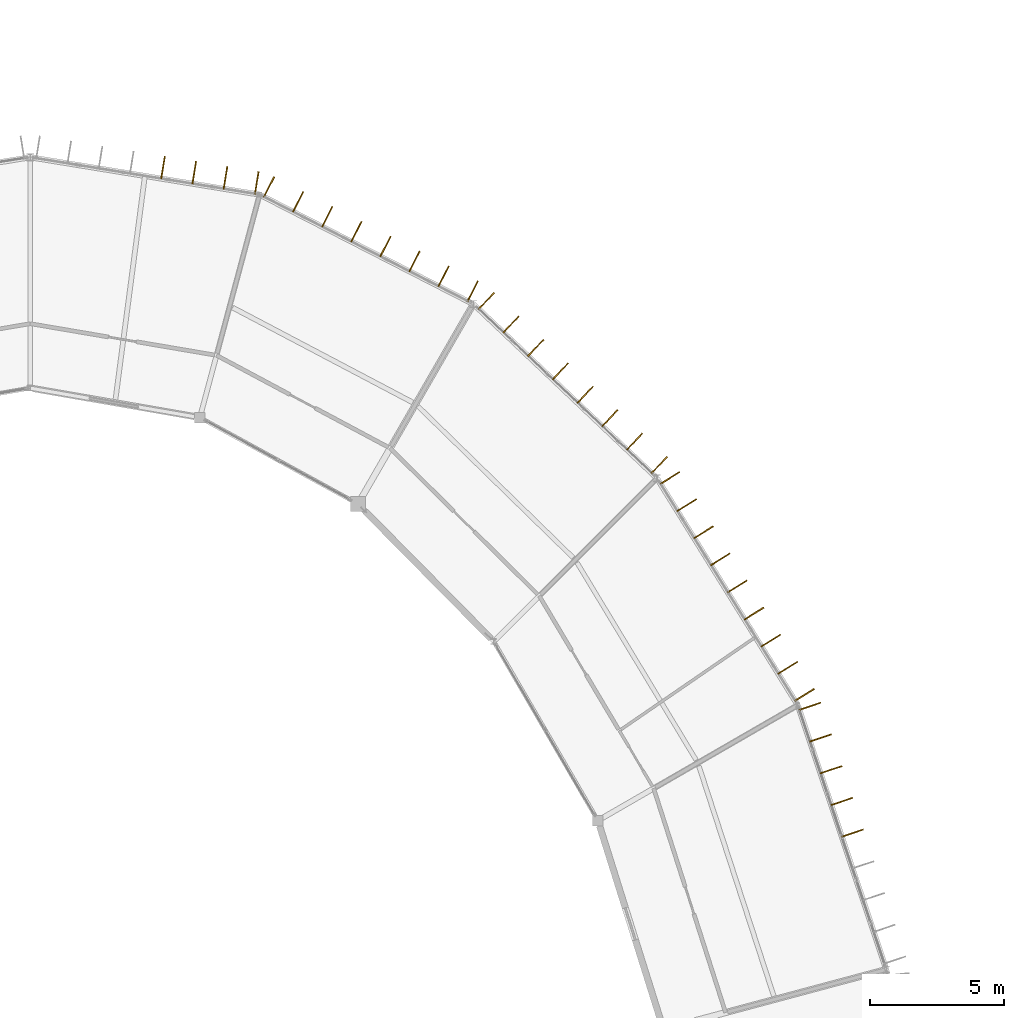
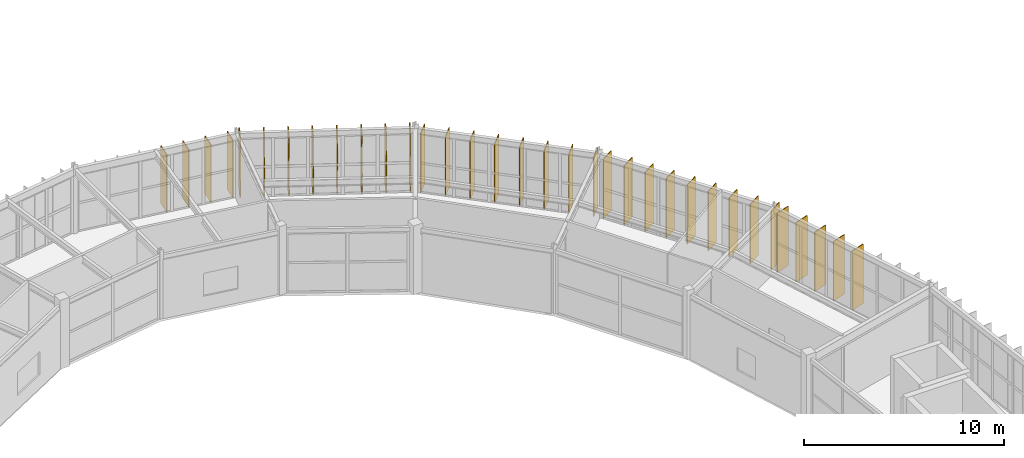
# One storey, part 105 of 106: 34 shading devices.
"""IFC4 building model written with IfcOpenShell, lengths in metres."""

from ifc_helpers import new_model, si_unit, direction, frame, origin, origin_2d, place, context, subcontext, project, spatial, rectangle, extrude, material, layer, layer_set, type_object, element, save


model = new_model("IFC4")

# Units and contexts
model_context = context("Model", 3, precision=1e-05, world=origin(), true_north=direction((0.0, 1.0)))
body_context = subcontext(model_context, "Body", "Model", "MODEL_VIEW")
ifc_project = project(units=[si_unit("LENGTHUNIT", "METRE"), si_unit("AREAUNIT", "SQUARE_METRE"), si_unit("VOLUMEUNIT", "CUBIC_METRE"), si_unit("PLANEANGLEUNIT", "RADIAN"), si_unit("MASSUNIT", "GRAM", prefix="KILO")], contexts=[model_context])

# Site, building, storey
site_placement = place(None, origin())
site = spatial("IfcSite", under=ifc_project, at=site_placement, CompositionType="ELEMENT")
building_placement = place(site_placement, origin())
building = spatial("IfcBuilding", under=site, at=building_placement, Name="Karori Crest Natural Sciences Institute", CompositionType="ELEMENT")
storey_placement = place(building_placement, frame((0.0, 0.0, 25.89990234375)))
storey = spatial("IfcBuildingStorey", under=building, at=storey_placement, Name="L06", CompositionType="ELEMENT", Elevation=25.89990234375)

# Shading devices
ifc_material = material(Name="Anodised architectural aluminium 6063-T6", Category="aluminium")
ifc_layer = layer(ifc_material, 0.044921875, Name="Anodised architectural aluminium 6063-T6")
ifc_layer_set = layer_set([ifc_layer], Name="Anodised architectural aluminium 6063-T6")
shading_device_type = type_object("IfcShadingDeviceType", Name="SDT-FIN", PredefinedType="USERDEFINED", material=ifc_layer_set)
for number, where, z_axis, x_axis, name in (
    (1, (95.42578125, 70.25634765625, 0.0), (0.0, 0.0, 1.0), (0.948197867933, 0.317680347595, 0.0), "Vertical solar fin FN-1097"),
    (2, (95.8212890625, 69.075439453125, 0.0), (0.0, 0.0, 1.0), (0.948197867933, 0.317680347595, 0.0), "Vertical solar fin FN-1098"),
    (3, (96.217041015625, 67.894775390625, 0.0), (0.0, 0.0, 1.0), (0.948197867933, 0.317680347595, 0.0), "Vertical solar fin FN-1099"),
    (4, (96.61279296875, 66.7138671875, 0.0), (0.0, 0.0, 1.0), (0.948197867933, 0.317680347595, 0.0), "Vertical solar fin FN-1100"),
    (5, (97.00830078125, 65.533203125, 0.0), (0.0, 0.0, 1.0), (0.948197867933, 0.317680347595, 0.0), "Vertical solar fin FN-1101"),
    (6, (90.215087890625, 78.7529296875, 0.0), (0.0, 0.0, 1.0), (0.849661763889, 0.527328063907, 0.0), "Vertical solar fin FN-1106"),
    (7, (90.84130859375, 77.743896484375, 0.0), (0.0, 0.0, 1.0), (0.849661763889, 0.527328063907, 0.0), "Vertical solar fin FN-1107"),
    (8, (91.4677734375, 76.73486328125, 0.0), (0.0, 0.0, 1.0), (0.849661763889, 0.527328063907, 0.0), "Vertical solar fin FN-1108"),
    (9, (92.093994140625, 75.725830078125, 0.0), (0.0, 0.0, 1.0), (0.849661763889, 0.527328063907, 0.0), "Vertical solar fin FN-1109"),
    (10, (92.72021484375, 74.716796875, 0.0), (0.0, 0.0, 1.0), (0.849661763889, 0.527328063907, 0.0), "Vertical solar fin FN-1110"),
    (11, (93.346435546875, 73.70751953125, 0.0), (0.0, 0.0, 1.0), (0.849661763889, 0.527328063907, 0.0), "Vertical solar fin FN-1111"),
    (12, (93.97265625, 72.698486328125, 0.0), (0.0, 0.0, 1.0), (0.849661763889, 0.527328063907, 0.0), "Vertical solar fin FN-1112"),
    (13, (94.59912109375, 71.689453125, 0.0), (0.0, 0.0, 1.0), (0.849661763889, 0.527328063907, 0.0), "Vertical solar fin FN-1113"),
    (14, (95.22509765625, 70.680419921875, 0.0), (0.0, 0.0, 1.0), (0.849661763889, 0.527328063907, 0.0), "Vertical solar fin FN-1114"),
    (15, (83.38037109375, 85.34326171875, 0.0), (0.0, 0.0, 1.0), (0.68825202143, 0.725471677599, 0.0), "Vertical solar fin FN-1115"),
    (16, (84.2998046875, 84.470947265625, 0.0), (0.0, 0.0, 1.0), (0.68825202143, 0.725471677599, 0.0), "Vertical solar fin FN-1116"),
    (17, (85.219482421875, 83.598388671875, 0.0), (0.0, 0.0, 1.0), (0.68825202143, 0.725471677599, 0.0), "Vertical solar fin FN-1117"),
    (18, (86.13916015625, 82.72607421875, 0.0), (0.0, 0.0, 1.0), (0.68825202143, 0.725471677599, 0.0), "Vertical solar fin FN-1118"),
    (19, (87.058837890625, 81.853515625, 0.0), (0.0, 0.0, 1.0), (0.68825202143, 0.725471677599, 0.0), "Vertical solar fin FN-1119"),
    (20, (87.978515625, 80.981201171875, 0.0), (0.0, 0.0, 1.0), (0.68825202143, 0.725471677599, 0.0), "Vertical solar fin FN-1120"),
    (21, (88.89794921875, 80.108642578125, 0.0), (0.0, 0.0, 1.0), (0.68825202143, 0.725471677599, 0.0), "Vertical solar fin FN-1121"),
    (22, (89.817626953125, 79.236328125, 0.0), (0.0, 0.0, 1.0), (0.68825202143, 0.725471677599, 0.0), "Vertical solar fin FN-1122"),
    (23, (75.2919921875, 89.590576171875, 0.0), (0.0, 0.0, 1.0), (0.455829213737, 0.890067260326, 0.0), "Vertical solar fin FN-1123"),
    (24, (76.375, 89.035888671875, 0.0), (0.0, 0.0, 1.0), (0.455829213737, 0.890067260326, 0.0), "Vertical solar fin FN-1124"),
    (25, (77.4580078125, 88.4814453125, 0.0), (0.0, 0.0, 1.0), (0.455829213737, 0.890067260326, 0.0), "Vertical solar fin FN-1125"),
    (26, (78.541015625, 87.9267578125, 0.0), (0.0, 0.0, 1.0), (0.455829213737, 0.890067260326, 0.0), "Vertical solar fin FN-1126"),
    (27, (79.623779296875, 87.372314453125, 0.0), (0.0, 0.0, 1.0), (0.455829213737, 0.890067260326, 0.0), "Vertical solar fin FN-1127"),
    (28, (80.706787109375, 86.817626953125, 0.0), (0.0, 0.0, 1.0), (0.455829213737, 0.890067260326, 0.0), "Vertical solar fin FN-1128"),
    (29, (81.789794921875, 86.262939453125, 0.0), (0.0, 0.0, 1.0), (0.455829213737, 0.890067260326, 0.0), "Vertical solar fin FN-1129"),
    (30, (82.872802734375, 85.70849609375, 0.0), (0.0, 0.0, 1.0), (0.455829213737, 0.890067260326, 0.0), "Vertical solar fin FN-1130"),
):
    element("IfcShadingDevice", number, at=place(storey_placement, frame(where, z_axis=z_axis, x_axis=x_axis)), inside=storey, type_object=shading_device_type, Name=name, ObjectType="SOLAR_FIN", PredefinedType="USERDEFINED", context=body_context, shape_type="SweptSolid", body=[
        extrude(rectangle(XDim=0.85009765625, YDim=0.044921875, at=origin_2d()), origin(), (0.0, 0.0, 1.0), 3.625),
    ])
for number, where, z_axis, x_axis, name in (
    (31, (71.343505859375, 90.310791015625, 0.000244140625), (0.0, 0.0, 1.0), (0.160654710652, 0.987010670634, 0.0), "Vertical solar fin FN-1135"),
    (32, (72.506591796875, 90.121337890625, 0.000244140625), (0.0, 0.0, 1.0), (0.160654710652, 0.987010670634, 0.0), "Vertical solar fin FN-1136"),
    (33, (73.669921875, 89.93212890625, 0.000244140625), (0.0, 0.0, 1.0), (0.160654710652, 0.987010670634, 0.0), "Vertical solar fin FN-1137"),
    (34, (74.833251953125, 89.74267578125, 0.000244140625), (0.0, 0.0, 1.0), (0.160654710652, 0.987010670634, 0.0), "Vertical solar fin FN-1138"),
):
    element("IfcShadingDevice", number, at=place(storey_placement, frame(where, z_axis=z_axis, x_axis=x_axis)), inside=storey, type_object=shading_device_type, Name=name, ObjectType="SOLAR_FIN", PredefinedType="USERDEFINED", context=body_context, shape_type="SweptSolid", body=[
        extrude(rectangle(XDim=0.85009765625, YDim=0.044921875, at=origin_2d()), origin(), (0.0, 0.0, 1.0), 3.52490234375),
    ])

save(model, "model.ifc")
